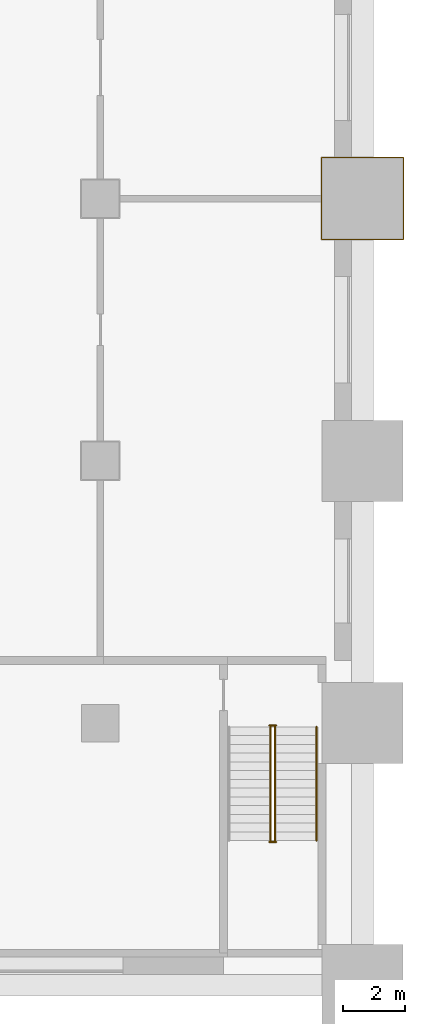
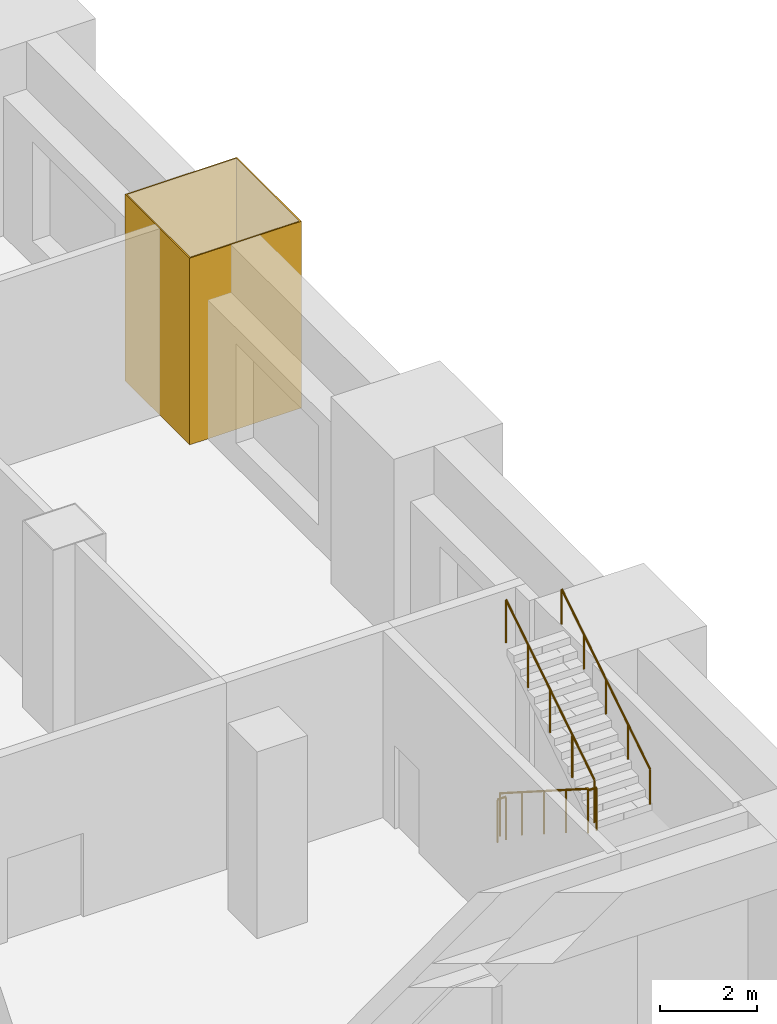
# One storey, part 16 of 17: 5 railings, 1 covering.
"""IFC4 building model written with IfcOpenShell, lengths in metres."""

from ifc_helpers import new_model, si_unit, direction, frame, origin, origin_2d, place, context, subcontext, project, spatial, polyline, circle, outline, extrude, material, layer, layer_set, type_object, element, save


model = new_model("IFC4")

# Units and contexts
model_context = context("Model", 3, precision=1e-05, world=origin(), true_north=direction((0.0, 1.0)))
body_context = subcontext(model_context, "Body", "Model", "MODEL_VIEW")
ifc_project = project(units=[si_unit("LENGTHUNIT", "METRE"), si_unit("AREAUNIT", "SQUARE_METRE"), si_unit("VOLUMEUNIT", "CUBIC_METRE"), si_unit("PLANEANGLEUNIT", "RADIAN"), si_unit("MASSUNIT", "GRAM", prefix="KILO")], contexts=[model_context])

# Site, building, storey
site_placement = place(None, origin())
site = spatial("IfcSite", under=ifc_project, at=site_placement, CompositionType="ELEMENT")
building_placement = place(site_placement, origin())
building = spatial("IfcBuilding", under=site, at=building_placement, Name="Cantera Rosa Tower", CompositionType="ELEMENT")
storey_placement = place(building_placement, frame((0.0, 0.0, 27.0)))
storey = spatial("IfcBuildingStorey", under=building, at=storey_placement, Name="L04", CompositionType="ELEMENT", Elevation=27.0)

# Covering
ifc_material_1 = material(Name="Plaster")
ifc_layer = layer(ifc_material_1, 0.030029296875)
ifc_layer_set = layer_set([ifc_layer], Name="Column casing 30")
covering_type = type_object("IfcCoveringType", Name="Column casing 30", PredefinedType="CLADDING", material=ifc_layer_set)
covering_placement = place(storey_placement, origin())
element("IfcCovering", 1, at=covering_placement, inside=storey, type_object=covering_type, Name="Column casing L04-036", PredefinedType="CLADDING", context=body_context, shape_type="SweptSolid", body=[
    extrude(outline(polyline([(32.27001953125, -5.530029296875), (34.929931640625, -5.530029296875), (34.929931640625, -2.8701171875), (32.27001953125, -2.8701171875), (32.27001953125, -5.530029296875)]), holes=[polyline([(34.89990234375, -2.89990234375), (32.300048828125, -2.89990234375), (32.300048828125, -5.5), (34.89990234375, -5.5), (34.89990234375, -2.89990234375)])]), origin(), (0.0, 0.0, 1.0), 4.699951171875),
])

# Railings
ifc_material_2 = material(Name="Steel S355J2 (EN 10025-2)", Category="steel")
railing_type_1 = type_object("IfcRailingType", Name="STAIR GUARD 1100", PredefinedType="GUARDRAIL", material=ifc_material_2)
railing_1_placement = place(storey_placement, frame((30.65087890625, -21.125, 0.178466796875)))
element("IfcRailing", 2, at=railing_1_placement, inside=storey, type_object=railing_type_1, Name="L04 ST-SE stair guard 1", PredefinedType="GUARDRAIL", context=body_context, shape_type="SweptSolid", body=[
    extrude(circle(Radius=0.02392578125, at=origin_2d()), frame((0.0, 0.0, 1.076171875), z_axis=(0.0, -0.843111507901, 0.53773877045), x_axis=(1.0, 0.0, 0.0)), (0.0, 0.0, 1.0), 4.317138671875),
    extrude(circle(Radius=0.02099609375, at=origin_2d()), origin(), (0.0, 0.0, 1.0), 1.052001953125),
    extrude(circle(Radius=0.02099609375, at=origin_2d()), frame((0.0, -0.909912109375, 0.580322265625)), (0.0, 0.0, 1.0), 1.052001953125),
    extrude(circle(Radius=0.02099609375, at=origin_2d()), frame((0.0, -1.81982421875, 1.16064453125)), (0.0, 0.0, 1.0), 1.052001953125),
    extrude(circle(Radius=0.02099609375, at=origin_2d()), frame((0.0, -2.72998046875, 1.7412109375)), (0.0, 0.0, 1.0), 1.052001953125),
    extrude(circle(Radius=0.02099609375, at=origin_2d()), frame((0.0, -3.639892578125, 2.321533203125)), (0.0, 0.0, 1.0), 1.052001953125),
])
railing_2_placement = place(storey_placement, frame((30.625, -24.81494140625, 2.5)))
element("IfcRailing", 3, at=railing_2_placement, inside=storey, type_object=railing_type_1, Name="L04 ST-SE stair guard 2", PredefinedType="GUARDRAIL", context=body_context, shape_type="SweptSolid", body=[
    extrude(circle(Radius=0.02392578125, at=origin_2d()), frame((0.0, 0.0, 1.076171875), z_axis=(1.0, 0.0, 0.0), x_axis=(0.0, 1.0, 0.0)), (0.0, 0.0, 1.0), 0.199951171875),
    extrude(circle(Radius=0.02099609375, at=origin_2d()), origin(), (0.0, 0.0, 1.0), 1.052001953125),
    extrude(circle(Radius=0.02099609375, at=origin_2d()), frame((0.199951171875, 0.0, 0.0)), (0.0, 0.0, 1.0), 1.052001953125),
])
railing_3_placement = place(storey_placement, frame((30.799072265625, -24.764892578125, 2.678466796875)))
element("IfcRailing", 4, at=railing_3_placement, inside=storey, type_object=railing_type_1, Name="L04 ST-SE stair guard 3", PredefinedType="GUARDRAIL", context=body_context, shape_type="SweptSolid", body=[
    extrude(circle(Radius=0.02392578125, at=origin_2d()), frame((0.0, 0.0, 1.076171875), z_axis=(0.0, 0.843111507901, 0.53773877045), x_axis=(-1.0, 0.0, 0.0)), (0.0, 0.0, 1.0), 4.317138671875),
    extrude(circle(Radius=0.02099609375, at=origin_2d()), origin(), (0.0, 0.0, 1.0), 1.052001953125),
    extrude(circle(Radius=0.02099609375, at=origin_2d()), frame((0.0, 0.909912109375, 0.580322265625)), (0.0, 0.0, 1.0), 1.052001953125),
    extrude(circle(Radius=0.02099609375, at=origin_2d()), frame((0.0, 1.81982421875, 1.16064453125)), (0.0, 0.0, 1.0), 1.052001953125),
    extrude(circle(Radius=0.02099609375, at=origin_2d()), frame((0.0, 2.72998046875, 1.7412109375)), (0.0, 0.0, 1.0), 1.052001953125),
    extrude(circle(Radius=0.02099609375, at=origin_2d()), frame((0.0, 3.639892578125, 2.321533203125)), (0.0, 0.0, 1.0), 1.052001953125),
])
railing_4_placement = place(storey_placement, frame((30.625, -21.074951171875, 0.0)))
element("IfcRailing", 5, at=railing_4_placement, inside=storey, type_object=railing_type_1, Name="L04 ST-SE stair guard 4", PredefinedType="GUARDRAIL", context=body_context, shape_type="SweptSolid", body=[
    extrude(circle(Radius=0.02392578125, at=origin_2d()), frame((0.0, 0.0, 1.076171875), z_axis=(1.0, 0.0, 0.0), x_axis=(0.0, 1.0, 0.0)), (0.0, 0.0, 1.0), 0.199951171875),
    extrude(circle(Radius=0.02099609375, at=origin_2d()), origin(), (0.0, 0.0, 1.0), 1.052001953125),
    extrude(circle(Radius=0.02099609375, at=origin_2d()), frame((0.199951171875, 0.0, 0.0)), (0.0, 0.0, 1.0), 1.052001953125),
])
ifc_material_3 = material(Name="Steel S355J2 (EN 10025-2)", Category="steel")
railing_type_2 = type_object("IfcRailingType", Name="STAIR HANDRAIL 900", PredefinedType="HANDRAIL", material=ifc_material_3)
railing_5_placement = place(storey_placement, frame((32.125, -24.764892578125, 2.678466796875)))
element("IfcRailing", 6, at=railing_5_placement, inside=storey, type_object=railing_type_2, Name="L04 ST-SE stair handrail 2", PredefinedType="HANDRAIL", context=body_context, shape_type="SweptSolid", body=[
    extrude(circle(Radius=0.02392578125, at=origin_2d()), frame((0.0, 0.0, 0.8759765625), z_axis=(0.0, 0.843111507901, 0.53773877045), x_axis=(-1.0, 0.0, 0.0)), (0.0, 0.0, 1.0), 4.317138671875),
    extrude(circle(Radius=0.02099609375, at=origin_2d()), origin(), (0.0, 0.0, 1.0), 0.851806640625),
    extrude(circle(Radius=0.02099609375, at=origin_2d()), frame((0.0, 0.909912109375, 0.580322265625)), (0.0, 0.0, 1.0), 0.851806640625),
    extrude(circle(Radius=0.02099609375, at=origin_2d()), frame((0.0, 1.81982421875, 1.16064453125)), (0.0, 0.0, 1.0), 0.851806640625),
    extrude(circle(Radius=0.02099609375, at=origin_2d()), frame((0.0, 2.72998046875, 1.7412109375)), (0.0, 0.0, 1.0), 0.851806640625),
    extrude(circle(Radius=0.02099609375, at=origin_2d()), frame((0.0, 3.639892578125, 2.321533203125)), (0.0, 0.0, 1.0), 0.851806640625),
])

save(model, "model.ifc")
